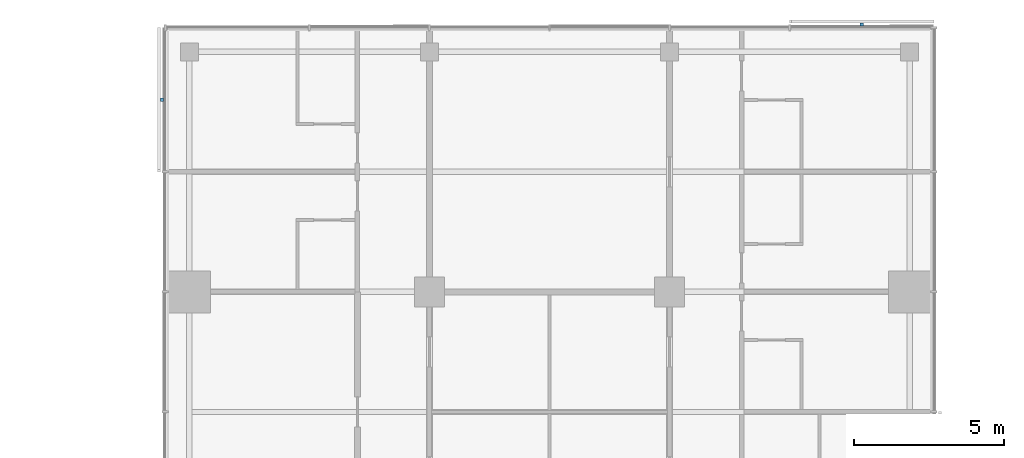
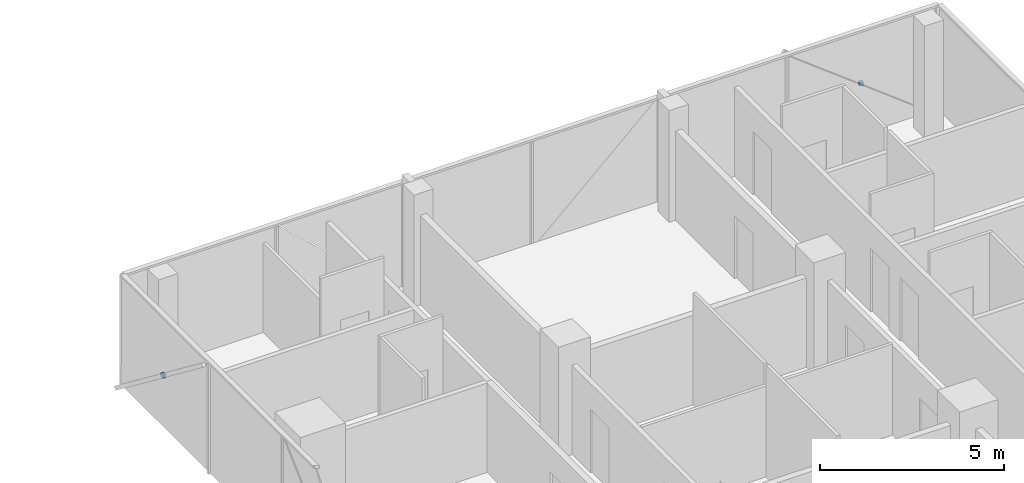
# One storey, part 26 of 27: 2 discrete accessories.
"""IFC4 building model written with IfcOpenShell, lengths in metres."""

from ifc_helpers import new_model, si_unit, direction, frame, origin, origin_2d, place, context, subcontext, project, spatial, rectangle, extrude, material, type_object, element, save


model = new_model("IFC4")

# Units and contexts
model_context = context("Model", 3, precision=1e-05, world=origin(), true_north=direction((0.0, 1.0)))
body_context = subcontext(model_context, "Body", "Model", "MODEL_VIEW")
ifc_project = project(units=[si_unit("LENGTHUNIT", "METRE"), si_unit("AREAUNIT", "SQUARE_METRE"), si_unit("VOLUMEUNIT", "CUBIC_METRE"), si_unit("PLANEANGLEUNIT", "RADIAN"), si_unit("MASSUNIT", "GRAM", prefix="KILO")], contexts=[model_context])

# Site, building, storey
site_placement = place(None, origin())
site = spatial("IfcSite", under=ifc_project, at=site_placement, CompositionType="ELEMENT")
building_placement = place(site_placement, origin())
building = spatial("IfcBuilding", under=site, at=building_placement, Name="Crosswind Convention Tower", CompositionType="ELEMENT")
storey_placement = place(building_placement, frame((0.0, 0.0, 83.10009765625)))
storey = spatial("IfcBuildingStorey", under=building, at=storey_placement, Name="L15", CompositionType="ELEMENT", Elevation=83.10009765625)

# Discrete accessories
ifc_material = material(Name="Stainless steel", Category="steel")
discrete_accessory_type = type_object("IfcDiscreteAccessoryType", Name="BAGUETTE BRACKET BK2", PredefinedType="BRACKET", material=ifc_material)
for number, where, z_axis, x_axis, name in (
    (1, (135.39990234375, 136.907958984375, 1.477294921875), (0.0, 0.0, 1.0), (-1.0, 0.0, 0.0), "BK2 baguette bracket"),
    (2, (112.092041015625, 134.39990234375, 1.477294921875), (0.0, 0.0, 1.0), (0.0, -1.0, 0.0), "BK2 baguette bracket"),
):
    element("IfcDiscreteAccessory", number, at=place(storey_placement, frame(where, z_axis=z_axis, x_axis=x_axis)), inside=storey, type_object=discrete_accessory_type, Name=name, PredefinedType="BRACKET", context=body_context, shape_type="SweptSolid", body=[
        extrude(rectangle(XDim=0.1201171875, YDim=0.10009765625, at=origin_2d()), origin(), (0.0, 0.0, 1.0), 0.1201171875),
    ])

save(model, "model.ifc")
